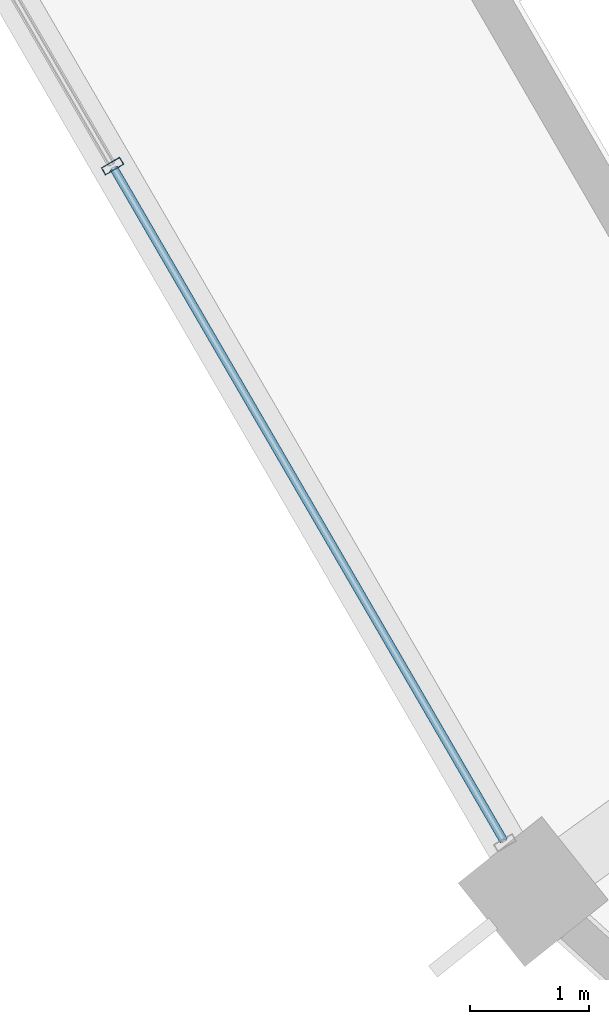
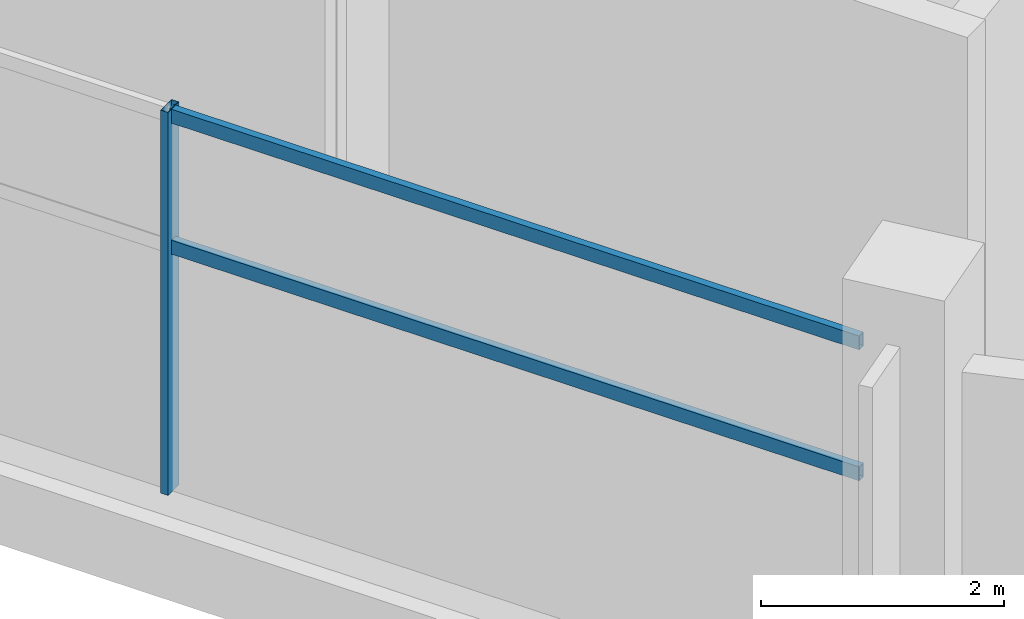
# One storey, part 7 of 156: 3 members, 1 element without a shape of its own.
"""IFC4 building model written with IfcOpenShell, lengths in metres."""

import ifcopenshell
import ifcopenshell.guid

model = None  # the IFC model being written
_history = None  # IfcOwnerHistory: only IFC2X3 demands one
_inside = {}  # id of a spatial element -> (the spatial element, [elements in it])
_under = {}  # id of a project, library or spatial element -> (it, [spatial elements below it])
_declared = {}  # id of a project -> (the project, [libraries it declares])
_typed = {}  # id of a type object -> (the type object, [elements of that type])
_made_of = {}  # id of a material, layer set ... -> (it, [elements and type objects made of it])


def new_model(schema):
    """Start an empty IFC model of exactly this schema.

    Asked for "IFC4X3", IfcOpenShell would pick the latest addendum, in which some entities
    have other attributes; the version numbers below select the first issue.
    IFC2X3 requires an IfcOwnerHistory on every rooted entity: one is made here for all.
    """
    global model, _history
    if schema == "IFC4X3":
        model = ifcopenshell.file(schema_version=(4, 3, 0, 0))
    else:
        model = ifcopenshell.file(schema=schema)
    _inside.clear()
    _under.clear()
    _declared.clear()
    _typed.clear()
    _made_of.clear()
    _history = None
    if model.schema == "IFC2X3":
        org = make("IfcOrganization", Name="unknown")
        user = make(
            "IfcPersonAndOrganization",
            ThePerson=make("IfcPerson", FamilyName="unknown"),
            TheOrganization=org,
        )
        app = make(
            "IfcApplication",
            ApplicationDeveloper=org,
            Version="unknown",
            ApplicationFullName="unknown",
            ApplicationIdentifier="unknown",
        )
        _history = make(
            "IfcOwnerHistory",
            OwningUser=user,
            OwningApplication=app,
            ChangeAction="ADDED",
            CreationDate=0,
        )
    return model


def make(cls, **values):
    """One entity of the class cls with the attributes given. An attribute that is None is left unset."""
    return model.create_entity(
        cls, **{name: value for name, value in values.items() if value is not None}
    )


def rooted(cls, **values):
    """An entity with a GlobalId (a new one), such as an element, a storey or a relation."""
    return make(cls, GlobalId=ifcopenshell.guid.new(), OwnerHistory=_history, **values)


def si_unit(unit_type, name, prefix=None):
    """IfcSIUnit, for example si_unit("LENGTHUNIT", "METRE", prefix="MILLI")."""
    return make("IfcSIUnit", UnitType=unit_type, Prefix=prefix, Name=name)


def assignment(units):
    """IfcUnitAssignment: the units of a project."""
    return None if units is None else make("IfcUnitAssignment", Units=units)


def point(xyz):
    """IfcCartesianPoint."""
    return None if xyz is None else make("IfcCartesianPoint", Coordinates=xyz)


def direction(xyz):
    """IfcDirection."""
    return None if xyz is None else make("IfcDirection", DirectionRatios=xyz)


def frame(location, z_axis=None, x_axis=None):
    """IfcAxis2Placement3D, a coordinate frame: its origin and axes. An axis left out is left unset."""
    return make(
        "IfcAxis2Placement3D",
        Location=point(location),
        Axis=direction(z_axis),
        RefDirection=direction(x_axis),
    )


def frame_2d(location, x_axis=None):
    """IfcAxis2Placement2D, a coordinate frame in the plane: its origin and x axis."""
    return make(
        "IfcAxis2Placement2D", Location=point(location), RefDirection=direction(x_axis)
    )


def origin():
    """The frame at (0, 0, 0) with its axes left unset."""
    return frame((0.0, 0.0, 0.0))


def origin_2d():
    """The frame at (0, 0) in the plane with its x axis left unset."""
    return frame_2d((0.0, 0.0))


def place(relative_to, where):
    """IfcLocalPlacement: puts the frame where relative to a parent placement (None: the world)."""
    return make(
        "IfcLocalPlacement", PlacementRelTo=relative_to, RelativePlacement=where
    )


def context(
    kind, dimensions, precision=None, world=None, true_north=None, identifier=None
):
    """IfcGeometricRepresentationContext, for example the 3D "Model" context."""
    return make(
        "IfcGeometricRepresentationContext",
        ContextIdentifier=identifier,
        ContextType=kind,
        CoordinateSpaceDimension=dimensions,
        Precision=precision,
        WorldCoordinateSystem=world,
        TrueNorth=true_north,
    )


def subcontext(parent, identifier, kind, view, scale=None):
    """IfcGeometricRepresentationSubContext, for example "Body" below "Model"."""
    return make(
        "IfcGeometricRepresentationSubContext",
        ContextIdentifier=identifier,
        ContextType=kind,
        ParentContext=parent,
        TargetScale=scale,
        TargetView=view,
    )


def project(units=None, contexts=None):
    """IfcProject with its units and contexts."""
    return rooted(
        "IfcProject",
        Name="project",
        RepresentationContexts=contexts,
        UnitsInContext=assignment(units),
    )


def spatial(cls, under=None, at=None, **own):
    """A site, building, storey or space (cls), placed at a placement, below another one or the project."""
    s = rooted(cls, ObjectPlacement=at, **own)
    if under is not None:
        _under.setdefault(under.id(), (under, []))[1].append(s)
    return s


def profile(cls, at=None, kind="AREA", **sizes):
    """A parametric profile (cls). Its sizes go by their IFC names, for example OverallWidth=200.0."""
    return make(cls, ProfileType=kind, Position=at, **sizes)


def hollow_rectangle(**sizes):
    """IfcRectangleHollowProfileDef."""
    return profile("IfcRectangleHollowProfileDef", **sizes)


def extrude(swept, where, along, depth):
    """IfcExtrudedAreaSolid: the profile swept, set in the frame where, extruded along a direction by depth."""
    return make(
        "IfcExtrudedAreaSolid",
        SweptArea=swept,
        Position=where,
        ExtrudedDirection=direction(along),
        Depth=depth,
    )


def shape(context_of_items, identifier, shape_type, items):
    """IfcShapeRepresentation: the items that make up one representation, for example the "Body"."""
    return make(
        "IfcShapeRepresentation",
        ContextOfItems=context_of_items,
        RepresentationIdentifier=identifier,
        RepresentationType=shape_type,
        Items=items,
    )


def material(Name=None, Category=None):
    """IfcMaterial."""
    return make("IfcMaterial", Name=Name, Category=Category)


def layer(
    of_material, thickness, ventilated=None, Name=None, Category=None, Priority=None
):
    """IfcMaterialLayer: one layer of a wall or slab, of a material (None: an air gap)."""
    return make(
        "IfcMaterialLayer",
        Material=of_material,
        LayerThickness=thickness,
        IsVentilated=ventilated,
        Name=Name,
        Category=Category,
        Priority=Priority,
    )


def layer_set(layers, Name=None):
    """IfcMaterialLayerSet."""
    return make("IfcMaterialLayerSet", MaterialLayers=layers, LayerSetName=Name)


def material_profile(
    of_material, cross_section, Name=None, Category=None, Priority=None
):
    """IfcMaterialProfile: a cross section and its material."""
    return make(
        "IfcMaterialProfile",
        Name=Name,
        Material=of_material,
        Profile=cross_section,
        Priority=Priority,
        Category=Category,
    )


def profile_set(profiles, Name=None, composite=None):
    """IfcMaterialProfileSet."""
    return make(
        "IfcMaterialProfileSet",
        Name=Name,
        MaterialProfiles=profiles,
        CompositeProfile=composite,
    )


def made_of(thing, what):
    """Note that an element or type object is made of a material, layer set ...; save() writes the relation."""
    if what is not None:
        _made_of.setdefault(what.id(), (what, []))[1].append(thing)
    return thing


def type_object(cls, material=None, **own):
    """A type object (cls), such as IfcWallType, which elements share."""
    return made_of(rooted(cls, **own), material)


def element(
    cls,
    number,
    at=None,
    inside=None,
    cuts=None,
    type_object=None,
    material=None,
    context=None,
    identifier="Body",
    shape_type=None,
    held_by="IfcProductDefinitionShape",
    body=None,
    shapes=None,
    **own,
):
    """One element of the class cls, such as IfcWall. Its Tag is "e" and its number.

    at: its placement. inside: the storey or other place that contains it. cuts: it is an
    opening in that element (IfcRelVoidsElement). A single representation is given by context,
    identifier, shape_type and body (its items); several are given by shapes. held_by: the class
    of the entity that holds the representations. save() writes the other relations.
    """
    e = rooted(cls, Tag="e%d" % number, ObjectPlacement=at, **own)
    if body is not None:
        shapes = [shape(context, identifier, shape_type, body)]
    if shapes is not None:
        e.Representation = make(held_by, Representations=shapes)
    if inside is not None:
        _inside.setdefault(inside.id(), (inside, []))[1].append(e)
    if cuts is not None:
        rooted(
            "IfcRelVoidsElement", RelatingBuildingElement=cuts, RelatedOpeningElement=e
        )
    if type_object is not None:
        _typed.setdefault(type_object.id(), (type_object, []))[1].append(e)
    return made_of(e, material)


def aggregate(whole, parts):
    """IfcRelAggregates: a whole, such as a stair, and the parts it consists of."""
    return rooted("IfcRelAggregates", RelatingObject=whole, RelatedObjects=parts)


def save(model, path):
    """Write the relations noted so far, then the file.

    IfcRelAggregates (storeys below a building ...), IfcRelContainedInSpatialStructure (elements
    in a storey), IfcRelDefinesByType, IfcRelAssociatesMaterial and IfcRelDeclares: one each for
    every whole, place, type object, material and project.
    """
    for whole, parts in _under.values():
        aggregate(whole, parts)
    for where, things in _inside.values():
        rooted(
            "IfcRelContainedInSpatialStructure",
            RelatedElements=things,
            RelatingStructure=where,
        )
    for kind, things in _typed.values():
        rooted("IfcRelDefinesByType", RelatedObjects=things, RelatingType=kind)
    for what, things in _made_of.values():
        rooted("IfcRelAssociatesMaterial", RelatedObjects=things, RelatingMaterial=what)
    for by, libraries in _declared.values():
        rooted("IfcRelDeclares", RelatingContext=by, RelatedDefinitions=libraries)
    model.write(path)


model = new_model("IFC4")

# Units and contexts
model_context = context("Model", 3, precision=1e-05, world=origin(), true_north=direction((0.0, 1.0)))
body_context = subcontext(model_context, "Body", "Model", "MODEL_VIEW")
ifc_project = project(units=[si_unit("LENGTHUNIT", "METRE"), si_unit("AREAUNIT", "SQUARE_METRE"), si_unit("VOLUMEUNIT", "CUBIC_METRE"), si_unit("PLANEANGLEUNIT", "RADIAN"), si_unit("MASSUNIT", "GRAM", prefix="KILO")], contexts=[model_context])

# Site, building, storey
site_placement = place(None, origin())
site = spatial("IfcSite", under=ifc_project, at=site_placement, CompositionType="ELEMENT")
building_placement = place(site_placement, origin())
building = spatial("IfcBuilding", under=site, at=building_placement, Name="Kazemori Nagisa Stadium", CompositionType="ELEMENT")
storey_placement = place(building_placement, frame((0.0, 0.0, 5.780029296875)))
storey = spatial("IfcBuildingStorey", under=building, at=storey_placement, Name="L01", CompositionType="ELEMENT", Elevation=5.780029296875)

# Curtain wall, members
ifc_material_1 = material(Name="Anodised aluminium 6063-T5", Category="aluminium")
ifc_layer = layer(ifc_material_1, 0.179931640625, Name="Anodised aluminium 6063-T5", Category="aluminium")
ifc_layer_set = layer_set([ifc_layer], Name="Anodised aluminium 6063-T5")
curtain_wall_type = type_object("IfcCurtainWallType", Name="CW_L01R3_99", PredefinedType="USERDEFINED", material=ifc_layer_set)
curtain_wall_placement = place(storey_placement, origin())
curtain_wall = element("IfcCurtainWall", 1, at=curtain_wall_placement, inside=storey, type_object=curtain_wall_type, Name="Unitised curtain wall CW-L01R3-99 L01", ObjectType="UNITISED CURTAIN WALL", PredefinedType="USERDEFINED")
ifc_material_2 = material(Name="Aluminium 6063-T5 anodised", Category="aluminium")
ifc_material_profile_1 = material_profile(ifc_material_2, hollow_rectangle(XDim=0.070068359375, YDim=0.179931640625, WallThickness=0.00390625, at=origin_2d()), Name="ALU-MULL-70x180x4")
ifc_profile_set_1 = profile_set([ifc_material_profile_1], Name="Aluminium 6063-T5 anodised")
member_type_1 = type_object("IfcMemberType", Name="Mullion_M01", PredefinedType="MULLION", material=ifc_profile_set_1)
member_1_placement = place(storey_placement, frame((40.9619140625, 51.442138671875, 0.0), z_axis=(0.0, 0.0, 1.0), x_axis=(0.501611590054, -0.865092950337, 0.0)))
member_1 = element("IfcMember", 2, at=member_1_placement, type_object=member_type_1, Name="Curtain wall mullion CW-L01R3-99-M3", PredefinedType="MULLION", context=body_context, shape_type="SweptSolid", body=[
    extrude(hollow_rectangle(XDim=0.070068359375, YDim=0.179931640625, WallThickness=0.00390625, at=origin_2d()), origin(), (0.0, 0.0, 1.0), 3.849853515625),
])
ifc_material_profile_2 = material_profile(ifc_material_2, hollow_rectangle(XDim=0.070068359375, YDim=0.139892578125, WallThickness=0.00390625, at=origin_2d()), Name="ALU-TRAN-70x140x4")
ifc_profile_set_2 = profile_set([ifc_material_profile_2], Name="Aluminium 6063-T5 anodised")
member_type_2 = type_object("IfcMemberType", Name="Transom_T01", PredefinedType="USERDEFINED", material=ifc_profile_set_2)
member_2_placement = place(storey_placement, frame((40.97216796875, 51.4248046875, 2.4638671875), z_axis=(0.501590295943, -0.865105297069, 0.0), x_axis=(0.865105297069, 0.501590295943, 0.0)))
member_2 = element("IfcMember", 3, at=member_2_placement, type_object=member_type_2, Name="Curtain wall transom CW-L01R3-99-T3-mid", ObjectType="TRANSOM", PredefinedType="USERDEFINED", context=body_context, shape_type="SweptSolid", body=[
    extrude(hollow_rectangle(XDim=0.070068359375, YDim=0.139892578125, WallThickness=0.00390625, at=origin_2d()), origin(), (0.0, 0.0, 1.0), 6.547607421875),
])
member_3_placement = place(storey_placement, frame((40.97216796875, 51.4248046875, 3.780029296875), z_axis=(0.501590295943, -0.865105297069, 0.0), x_axis=(0.865105297069, 0.501590295943, 0.0)))
member_3 = element("IfcMember", 4, at=member_3_placement, type_object=member_type_2, Name="Curtain wall transom CW-L01R3-99-T3-head", ObjectType="TRANSOM", PredefinedType="USERDEFINED", context=body_context, shape_type="SweptSolid", body=[
    extrude(hollow_rectangle(XDim=0.070068359375, YDim=0.139892578125, WallThickness=0.00390625, at=origin_2d()), origin(), (0.0, 0.0, 1.0), 6.547607421875),
])
aggregate(curtain_wall, [member_1, member_2, member_3])

save(model, "model.ifc")
